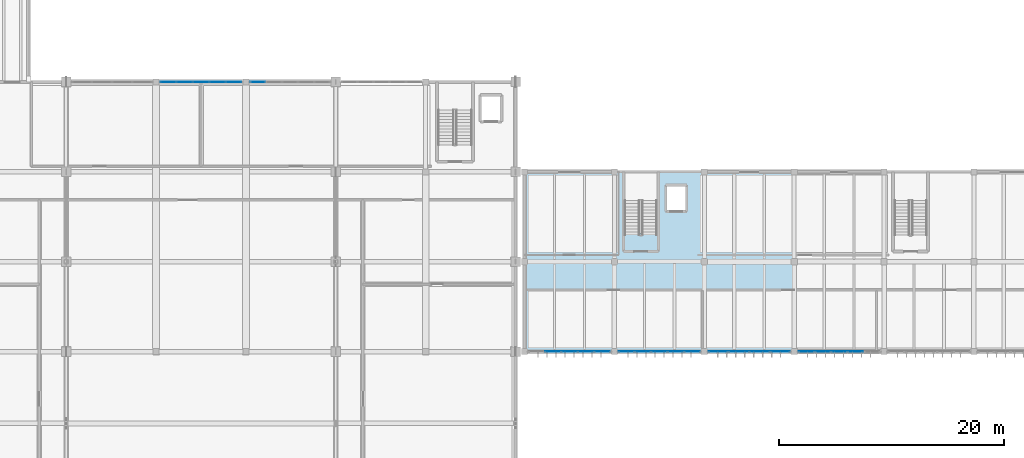
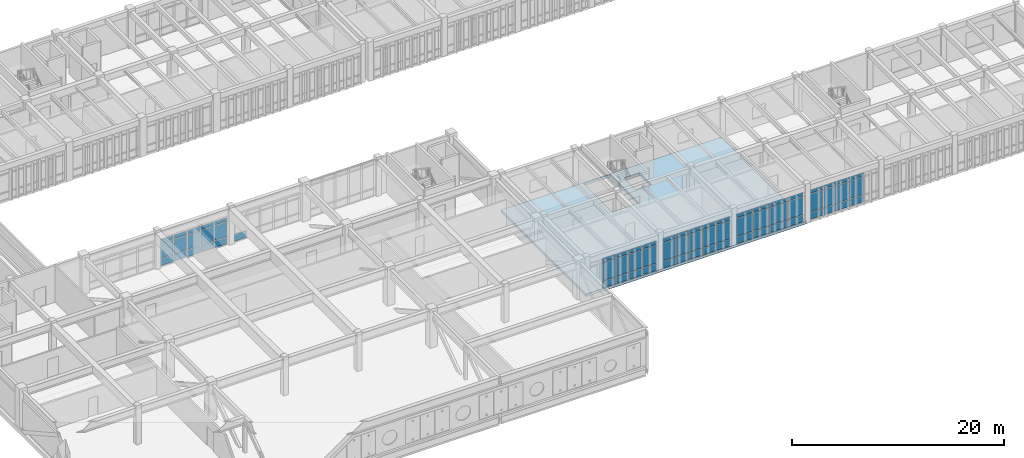
# One storey, part 38 of 79: 67 plates, 1 slab, 6 elements without a shape of their own.
"""IFC4 building model written with IfcOpenShell, lengths in metres."""

from ifc_helpers import new_model, si_unit, direction, frame, origin, origin_2d, place, context, subcontext, project, spatial, polyline, rectangle, outline, extrude, material, layer, layer_set, type_object, element, aggregate, save


model = new_model("IFC4")

# Units and contexts
model_context = context("Model", 3, precision=1e-05, world=origin(), true_north=direction((0.0, 1.0)))
body_context = subcontext(model_context, "Body", "Model", "MODEL_VIEW")
ifc_project = project(units=[si_unit("LENGTHUNIT", "METRE"), si_unit("AREAUNIT", "SQUARE_METRE"), si_unit("VOLUMEUNIT", "CUBIC_METRE"), si_unit("PLANEANGLEUNIT", "RADIAN"), si_unit("MASSUNIT", "GRAM", prefix="KILO")], contexts=[model_context])

# Site, building, storey
site_placement = place(None, origin())
site = spatial("IfcSite", under=ifc_project, at=site_placement, CompositionType="ELEMENT")
building_placement = place(site_placement, origin())
building = spatial("IfcBuilding", under=site, at=building_placement, Name="Tlaxcora Railside Police Headquarters", CompositionType="ELEMENT")
storey_placement = place(building_placement, frame((0.0, 0.0, 9.0)))
storey = spatial("IfcBuildingStorey", under=building, at=storey_placement, Name="L02", CompositionType="ELEMENT", Elevation=9.0)

# Curtain wall, plates
ifc_material_1 = material(Name="Thermally broken low-E insulated glazing", Category="glass")
curtain_wall_type_1 = type_object("IfcCurtainWallType", Name="Unitised Curtain Wall Assembly CW-23", PredefinedType="NOTDEFINED", material=ifc_material_1)
curtain_wall_1_placement = place(storey_placement, origin())
curtain_wall_1 = element("IfcCurtainWall", 1, at=curtain_wall_1_placement, inside=storey, type_object=curtain_wall_type_1, Name="V7 L02 curtain wall 180", PredefinedType="NOTDEFINED")
ifc_layer_1 = layer(ifc_material_1, 0.0400390625, Name="Thermally broken low-E insulated glazing")
ifc_layer_set_1 = layer_set([ifc_layer_1], Name="Thermally broken low-E insulated glazing")
plate_type_1 = type_object("IfcPlateType", Name="Curtain Wall Infill Panel CW-17", PredefinedType="CURTAIN_PANEL", material=ifc_layer_set_1)
plate_1_placement = place(storey_placement, frame((127.8798828125, 36.0, 0.080078125), z_axis=(0.0, 0.0, 1.0), x_axis=(1.0, 0.0, 0.0)))
plate_1 = element("IfcPlate", 2, at=plate_1_placement, type_object=plate_type_1, Name="CW panel 1.1", PredefinedType="CURTAIN_PANEL", context=body_context, shape_type="SweptSolid", body=[
    extrude(rectangle(XDim=1.35009765625, YDim=0.0400390625, at=origin_2d()), origin(), (0.0, 0.0, 1.0), 0.780029296875),
])
plate_2_placement = place(storey_placement, frame((127.8798828125, 36.0, 0.93994140625), z_axis=(0.0, 0.0, 1.0), x_axis=(1.0, 0.0, 0.0)))
plate_2 = element("IfcPlate", 3, at=plate_2_placement, type_object=plate_type_1, Name="CW panel 1.2", PredefinedType="CURTAIN_PANEL", context=body_context, shape_type="SweptSolid", body=[
    extrude(rectangle(XDim=1.35009765625, YDim=0.0400390625, at=origin_2d()), origin(), (0.0, 0.0, 1.0), 2.0400390625),
])
plate_3_placement = place(storey_placement, frame((127.8798828125, 36.0, 3.06005859375), z_axis=(0.0, 0.0, 1.0), x_axis=(1.0, 0.0, 0.0)))
plate_3 = element("IfcPlate", 4, at=plate_3_placement, type_object=plate_type_1, Name="CW panel 1.3", PredefinedType="CURTAIN_PANEL", context=body_context, shape_type="SweptSolid", body=[
    extrude(rectangle(XDim=1.35009765625, YDim=0.0400390625, at=origin_2d()), origin(), (0.0, 0.0, 1.0), 0.409912109375),
])
plate_4_placement = place(storey_placement, frame((129.330078125, 36.0, 0.080078125), z_axis=(0.0, 0.0, 1.0), x_axis=(1.0, 0.0, 0.0)))
plate_4 = element("IfcPlate", 5, at=plate_4_placement, type_object=plate_type_1, Name="CW panel 2.1", PredefinedType="CURTAIN_PANEL", context=body_context, shape_type="SweptSolid", body=[
    extrude(rectangle(XDim=1.389892578125, YDim=0.0400390625, at=origin_2d()), origin(), (0.0, 0.0, 1.0), 0.780029296875),
])
plate_5_placement = place(storey_placement, frame((129.330078125, 36.0, 0.93994140625), z_axis=(0.0, 0.0, 1.0), x_axis=(1.0, 0.0, 0.0)))
plate_5 = element("IfcPlate", 6, at=plate_5_placement, type_object=plate_type_1, Name="CW panel 2.2", PredefinedType="CURTAIN_PANEL", context=body_context, shape_type="SweptSolid", body=[
    extrude(rectangle(XDim=1.389892578125, YDim=0.0400390625, at=origin_2d()), origin(), (0.0, 0.0, 1.0), 2.0400390625),
])
plate_6_placement = place(storey_placement, frame((129.330078125, 36.0, 3.06005859375), z_axis=(0.0, 0.0, 1.0), x_axis=(1.0, 0.0, 0.0)))
plate_6 = element("IfcPlate", 7, at=plate_6_placement, type_object=plate_type_1, Name="CW panel 2.3", PredefinedType="CURTAIN_PANEL", context=body_context, shape_type="SweptSolid", body=[
    extrude(rectangle(XDim=1.389892578125, YDim=0.0400390625, at=origin_2d()), origin(), (0.0, 0.0, 1.0), 0.409912109375),
])
plate_7_placement = place(storey_placement, frame((130.800048828125, 36.0, 0.080078125), z_axis=(0.0, 0.0, 1.0), x_axis=(1.0, 0.0, 0.0)))
plate_7 = element("IfcPlate", 8, at=plate_7_placement, type_object=plate_type_1, Name="CW panel 3.1", PredefinedType="CURTAIN_PANEL", context=body_context, shape_type="SweptSolid", body=[
    extrude(rectangle(XDim=1.389892578125, YDim=0.0400390625, at=origin_2d()), origin(), (0.0, 0.0, 1.0), 0.780029296875),
])
plate_8_placement = place(storey_placement, frame((130.800048828125, 36.0, 0.93994140625), z_axis=(0.0, 0.0, 1.0), x_axis=(1.0, 0.0, 0.0)))
plate_8 = element("IfcPlate", 9, at=plate_8_placement, type_object=plate_type_1, Name="CW panel 3.2", PredefinedType="CURTAIN_PANEL", context=body_context, shape_type="SweptSolid", body=[
    extrude(rectangle(XDim=1.389892578125, YDim=0.0400390625, at=origin_2d()), origin(), (0.0, 0.0, 1.0), 2.0400390625),
])
plate_9_placement = place(storey_placement, frame((130.800048828125, 36.0, 3.06005859375), z_axis=(0.0, 0.0, 1.0), x_axis=(1.0, 0.0, 0.0)))
plate_9 = element("IfcPlate", 10, at=plate_9_placement, type_object=plate_type_1, Name="CW panel 3.3", PredefinedType="CURTAIN_PANEL", context=body_context, shape_type="SweptSolid", body=[
    extrude(rectangle(XDim=1.389892578125, YDim=0.0400390625, at=origin_2d()), origin(), (0.0, 0.0, 1.0), 0.409912109375),
])
plate_10_placement = place(storey_placement, frame((132.27001953125, 36.0, 0.080078125), z_axis=(0.0, 0.0, 1.0), x_axis=(1.0, 0.0, 0.0)))
plate_10 = element("IfcPlate", 11, at=plate_10_placement, type_object=plate_type_1, Name="CW panel 4.1", PredefinedType="CURTAIN_PANEL", context=body_context, shape_type="SweptSolid", body=[
    extrude(rectangle(XDim=1.389892578125, YDim=0.0400390625, at=origin_2d()), origin(), (0.0, 0.0, 1.0), 0.780029296875),
])
plate_11_placement = place(storey_placement, frame((132.27001953125, 36.0, 0.93994140625), z_axis=(0.0, 0.0, 1.0), x_axis=(1.0, 0.0, 0.0)))
plate_11 = element("IfcPlate", 12, at=plate_11_placement, type_object=plate_type_1, Name="CW panel 4.2", PredefinedType="CURTAIN_PANEL", context=body_context, shape_type="SweptSolid", body=[
    extrude(rectangle(XDim=1.389892578125, YDim=0.0400390625, at=origin_2d()), origin(), (0.0, 0.0, 1.0), 2.0400390625),
])
plate_12_placement = place(storey_placement, frame((132.27001953125, 36.0, 3.06005859375), z_axis=(0.0, 0.0, 1.0), x_axis=(1.0, 0.0, 0.0)))
plate_12 = element("IfcPlate", 13, at=plate_12_placement, type_object=plate_type_1, Name="CW panel 4.3", PredefinedType="CURTAIN_PANEL", context=body_context, shape_type="SweptSolid", body=[
    extrude(rectangle(XDim=1.389892578125, YDim=0.0400390625, at=origin_2d()), origin(), (0.0, 0.0, 1.0), 0.409912109375),
])
aggregate(curtain_wall_1, [plate_1, plate_2, plate_3, plate_4, plate_5, plate_6, plate_7, plate_8, plate_9, plate_10, plate_11, plate_12])

curtain_wall_type_2 = type_object("IfcCurtainWallType", Name="Unitised Curtain Wall Assembly CW-15", PredefinedType="NOTDEFINED", material=ifc_material_1)
curtain_wall_2_placement = place(storey_placement, origin())
curtain_wall_2 = element("IfcCurtainWall", 14, at=curtain_wall_2_placement, inside=storey, type_object=curtain_wall_type_2, Name="V2 L02 curtain wall 14", PredefinedType="NOTDEFINED")
ifc_layer_2 = layer(ifc_material_1, 0.031982421875, Name="Thermally broken low-E insulated glazing")
ifc_layer_set_2 = layer_set([ifc_layer_2], Name="Thermally broken low-E insulated glazing")
plate_type_2 = type_object("IfcPlateType", Name="Curtain Wall Infill Panel CW-41", PredefinedType="CURTAIN_PANEL", material=ifc_layer_set_2)
plate_13_placement = place(storey_placement, frame((76.921142578125, 60.0, 0.074951171875), z_axis=(0.0, 0.0, 1.0), x_axis=(-1.0, 0.0, 0.0)))
plate_13 = element("IfcPlate", 15, at=plate_13_placement, type_object=plate_type_2, Name="CW panel 1.1", PredefinedType="CURTAIN_PANEL", context=body_context, shape_type="SweptSolid", body=[
    extrude(rectangle(XDim=1.357421875, YDim=0.031982421875, at=origin_2d()), origin(), (0.0, 0.0, 1.0), 0.78759765625),
])
plate_14_placement = place(storey_placement, frame((76.921142578125, 60.0, 0.9375), z_axis=(0.0, 0.0, 1.0), x_axis=(-1.0, 0.0, 0.0)))
plate_14 = element("IfcPlate", 16, at=plate_14_placement, type_object=plate_type_2, Name="CW panel 1.2", PredefinedType="CURTAIN_PANEL", context=body_context, shape_type="SweptSolid", body=[
    extrude(rectangle(XDim=1.357421875, YDim=0.031982421875, at=origin_2d()), origin(), (0.0, 0.0, 1.0), 1.675048828125),
])
plate_15_placement = place(storey_placement, frame((76.921142578125, 60.0, 2.6875), z_axis=(0.0, 0.0, 1.0), x_axis=(-1.0, 0.0, 0.0)))
plate_15 = element("IfcPlate", 17, at=plate_15_placement, type_object=plate_type_2, Name="CW panel 1.3", PredefinedType="CURTAIN_PANEL", context=body_context, shape_type="SweptSolid", body=[
    extrude(rectangle(XDim=1.357421875, YDim=0.031982421875, at=origin_2d()), origin(), (0.0, 0.0, 1.0), 0.41748046875),
])
plate_16_placement = place(storey_placement, frame((75.469970703125, 60.0, 0.074951171875), z_axis=(0.0, 0.0, 1.0), x_axis=(-1.0, 0.0, 0.0)))
plate_16 = element("IfcPlate", 18, at=plate_16_placement, type_object=plate_type_2, Name="CW panel 2.1", PredefinedType="CURTAIN_PANEL", context=body_context, shape_type="SweptSolid", body=[
    extrude(rectangle(XDim=1.39501953125, YDim=0.031982421875, at=origin_2d()), origin(), (0.0, 0.0, 1.0), 0.78759765625),
])
plate_17_placement = place(storey_placement, frame((75.469970703125, 60.0, 0.9375), z_axis=(0.0, 0.0, 1.0), x_axis=(-1.0, 0.0, 0.0)))
plate_17 = element("IfcPlate", 19, at=plate_17_placement, type_object=plate_type_2, Name="CW panel 2.2", PredefinedType="CURTAIN_PANEL", context=body_context, shape_type="SweptSolid", body=[
    extrude(rectangle(XDim=1.39501953125, YDim=0.031982421875, at=origin_2d()), origin(), (0.0, 0.0, 1.0), 1.675048828125),
])
plate_18_placement = place(storey_placement, frame((75.469970703125, 60.0, 2.6875), z_axis=(0.0, 0.0, 1.0), x_axis=(-1.0, 0.0, 0.0)))
plate_18 = element("IfcPlate", 20, at=plate_18_placement, type_object=plate_type_2, Name="CW panel 2.3", PredefinedType="CURTAIN_PANEL", context=body_context, shape_type="SweptSolid", body=[
    extrude(rectangle(XDim=1.39501953125, YDim=0.031982421875, at=origin_2d()), origin(), (0.0, 0.0, 1.0), 0.41748046875),
])
plate_19_placement = place(storey_placement, frame((74.0, 60.0, 0.074951171875), z_axis=(0.0, 0.0, 1.0), x_axis=(-1.0, 0.0, 0.0)))
plate_19 = element("IfcPlate", 21, at=plate_19_placement, type_object=plate_type_2, Name="CW panel 3.1", PredefinedType="CURTAIN_PANEL", context=body_context, shape_type="SweptSolid", body=[
    extrude(rectangle(XDim=1.39501953125, YDim=0.031982421875, at=origin_2d()), origin(), (0.0, 0.0, 1.0), 0.78759765625),
])
plate_20_placement = place(storey_placement, frame((74.0, 60.0, 0.9375), z_axis=(0.0, 0.0, 1.0), x_axis=(-1.0, 0.0, 0.0)))
plate_20 = element("IfcPlate", 22, at=plate_20_placement, type_object=plate_type_2, Name="CW panel 3.2", PredefinedType="CURTAIN_PANEL", context=body_context, shape_type="SweptSolid", body=[
    extrude(rectangle(XDim=1.39501953125, YDim=0.031982421875, at=origin_2d()), origin(), (0.0, 0.0, 1.0), 1.675048828125),
])
plate_21_placement = place(storey_placement, frame((74.0, 60.0, 2.6875), z_axis=(0.0, 0.0, 1.0), x_axis=(-1.0, 0.0, 0.0)))
plate_21 = element("IfcPlate", 23, at=plate_21_placement, type_object=plate_type_2, Name="CW panel 3.3", PredefinedType="CURTAIN_PANEL", context=body_context, shape_type="SweptSolid", body=[
    extrude(rectangle(XDim=1.39501953125, YDim=0.031982421875, at=origin_2d()), origin(), (0.0, 0.0, 1.0), 0.41748046875),
])
plate_22_placement = place(storey_placement, frame((72.530029296875, 60.0, 0.074951171875), z_axis=(0.0, 0.0, 1.0), x_axis=(-1.0, 0.0, 0.0)))
plate_22 = element("IfcPlate", 24, at=plate_22_placement, type_object=plate_type_2, Name="CW panel 4.1", PredefinedType="CURTAIN_PANEL", context=body_context, shape_type="SweptSolid", body=[
    extrude(rectangle(XDim=1.39501953125, YDim=0.031982421875, at=origin_2d()), origin(), (0.0, 0.0, 1.0), 0.78759765625),
])
plate_23_placement = place(storey_placement, frame((72.530029296875, 60.0, 0.9375), z_axis=(0.0, 0.0, 1.0), x_axis=(-1.0, 0.0, 0.0)))
plate_23 = element("IfcPlate", 25, at=plate_23_placement, type_object=plate_type_2, Name="CW panel 4.2", PredefinedType="CURTAIN_PANEL", context=body_context, shape_type="SweptSolid", body=[
    extrude(rectangle(XDim=1.39501953125, YDim=0.031982421875, at=origin_2d()), origin(), (0.0, 0.0, 1.0), 1.675048828125),
])
plate_24_placement = place(storey_placement, frame((72.530029296875, 60.0, 2.6875), z_axis=(0.0, 0.0, 1.0), x_axis=(-1.0, 0.0, 0.0)))
plate_24 = element("IfcPlate", 26, at=plate_24_placement, type_object=plate_type_2, Name="CW panel 4.3", PredefinedType="CURTAIN_PANEL", context=body_context, shape_type="SweptSolid", body=[
    extrude(rectangle(XDim=1.39501953125, YDim=0.031982421875, at=origin_2d()), origin(), (0.0, 0.0, 1.0), 0.41748046875),
])
plate_25_placement = place(storey_placement, frame((71.078857421875, 60.0, 0.074951171875), z_axis=(0.0, 0.0, 1.0), x_axis=(-1.0, 0.0, 0.0)))
plate_25 = element("IfcPlate", 27, at=plate_25_placement, type_object=plate_type_2, Name="CW panel 5.1", PredefinedType="CURTAIN_PANEL", context=body_context, shape_type="SweptSolid", body=[
    extrude(rectangle(XDim=1.357421875, YDim=0.031982421875, at=origin_2d()), origin(), (0.0, 0.0, 1.0), 0.78759765625),
])
plate_26_placement = place(storey_placement, frame((71.078857421875, 60.0, 0.9375), z_axis=(0.0, 0.0, 1.0), x_axis=(-1.0, 0.0, 0.0)))
plate_26 = element("IfcPlate", 28, at=plate_26_placement, type_object=plate_type_2, Name="CW panel 5.2", PredefinedType="CURTAIN_PANEL", context=body_context, shape_type="SweptSolid", body=[
    extrude(rectangle(XDim=1.357421875, YDim=0.031982421875, at=origin_2d()), origin(), (0.0, 0.0, 1.0), 1.675048828125),
])
plate_27_placement = place(storey_placement, frame((71.078857421875, 60.0, 2.6875), z_axis=(0.0, 0.0, 1.0), x_axis=(-1.0, 0.0, 0.0)))
plate_27 = element("IfcPlate", 29, at=plate_27_placement, type_object=plate_type_2, Name="CW panel 5.3", PredefinedType="CURTAIN_PANEL", context=body_context, shape_type="SweptSolid", body=[
    extrude(rectangle(XDim=1.357421875, YDim=0.031982421875, at=origin_2d()), origin(), (0.0, 0.0, 1.0), 0.41748046875),
])
aggregate(curtain_wall_2, [plate_13, plate_14, plate_15, plate_16, plate_17, plate_18, plate_19, plate_20, plate_21, plate_22, plate_23, plate_24, plate_25, plate_26, plate_27])

curtain_wall_3_placement = place(storey_placement, origin())
curtain_wall_3 = element("IfcCurtainWall", 30, at=curtain_wall_3_placement, inside=storey, type_object=curtain_wall_type_2, Name="V7 L02 curtain wall 178", PredefinedType="NOTDEFINED")
plate_28_placement = place(storey_placement, frame((111.878662109375, 36.0, 0.074951171875), z_axis=(0.0, 0.0, 1.0), x_axis=(1.0, 0.0, 0.0)))
plate_28 = element("IfcPlate", 31, at=plate_28_placement, type_object=plate_type_2, Name="CW panel 1.1", PredefinedType="CURTAIN_PANEL", context=body_context, shape_type="SweptSolid", body=[
    extrude(rectangle(XDim=1.357421875, YDim=0.031982421875, at=origin_2d()), origin(), (0.0, 0.0, 1.0), 0.78759765625),
])
plate_29_placement = place(storey_placement, frame((111.878662109375, 36.0, 0.9375), z_axis=(0.0, 0.0, 1.0), x_axis=(1.0, 0.0, 0.0)))
plate_29 = element("IfcPlate", 32, at=plate_29_placement, type_object=plate_type_2, Name="CW panel 1.2", PredefinedType="CURTAIN_PANEL", context=body_context, shape_type="SweptSolid", body=[
    extrude(rectangle(XDim=1.357421875, YDim=0.031982421875, at=origin_2d()), origin(), (0.0, 0.0, 1.0), 2.044921875),
])
plate_30_placement = place(storey_placement, frame((111.878662109375, 36.0, 3.0576171875), z_axis=(0.0, 0.0, 1.0), x_axis=(1.0, 0.0, 0.0)))
plate_30 = element("IfcPlate", 33, at=plate_30_placement, type_object=plate_type_2, Name="CW panel 1.3", PredefinedType="CURTAIN_PANEL", context=body_context, shape_type="SweptSolid", body=[
    extrude(rectangle(XDim=1.357421875, YDim=0.031982421875, at=origin_2d()), origin(), (0.0, 0.0, 1.0), 0.41748046875),
])
plate_31_placement = place(storey_placement, frame((113.330078125, 36.0, 0.074951171875), z_axis=(0.0, 0.0, 1.0), x_axis=(1.0, 0.0, 0.0)))
plate_31 = element("IfcPlate", 34, at=plate_31_placement, type_object=plate_type_2, Name="CW panel 2.1", PredefinedType="CURTAIN_PANEL", context=body_context, shape_type="SweptSolid", body=[
    extrude(rectangle(XDim=1.39501953125, YDim=0.031982421875, at=origin_2d()), origin(), (0.0, 0.0, 1.0), 0.78759765625),
])
plate_32_placement = place(storey_placement, frame((113.330078125, 36.0, 0.9375), z_axis=(0.0, 0.0, 1.0), x_axis=(1.0, 0.0, 0.0)))
plate_32 = element("IfcPlate", 35, at=plate_32_placement, type_object=plate_type_2, Name="CW panel 2.2", PredefinedType="CURTAIN_PANEL", context=body_context, shape_type="SweptSolid", body=[
    extrude(rectangle(XDim=1.39501953125, YDim=0.031982421875, at=origin_2d()), origin(), (0.0, 0.0, 1.0), 2.044921875),
])
plate_33_placement = place(storey_placement, frame((113.330078125, 36.0, 3.0576171875), z_axis=(0.0, 0.0, 1.0), x_axis=(1.0, 0.0, 0.0)))
plate_33 = element("IfcPlate", 36, at=plate_33_placement, type_object=plate_type_2, Name="CW panel 2.3", PredefinedType="CURTAIN_PANEL", context=body_context, shape_type="SweptSolid", body=[
    extrude(rectangle(XDim=1.39501953125, YDim=0.031982421875, at=origin_2d()), origin(), (0.0, 0.0, 1.0), 0.41748046875),
])
plate_34_placement = place(storey_placement, frame((114.800048828125, 36.0, 0.074951171875), z_axis=(0.0, 0.0, 1.0), x_axis=(1.0, 0.0, 0.0)))
plate_34 = element("IfcPlate", 37, at=plate_34_placement, type_object=plate_type_2, Name="CW panel 3.1", PredefinedType="CURTAIN_PANEL", context=body_context, shape_type="SweptSolid", body=[
    extrude(rectangle(XDim=1.39501953125, YDim=0.031982421875, at=origin_2d()), origin(), (0.0, 0.0, 1.0), 0.78759765625),
])
plate_35_placement = place(storey_placement, frame((114.800048828125, 36.0, 0.9375), z_axis=(0.0, 0.0, 1.0), x_axis=(1.0, 0.0, 0.0)))
plate_35 = element("IfcPlate", 38, at=plate_35_placement, type_object=plate_type_2, Name="CW panel 3.2", PredefinedType="CURTAIN_PANEL", context=body_context, shape_type="SweptSolid", body=[
    extrude(rectangle(XDim=1.39501953125, YDim=0.031982421875, at=origin_2d()), origin(), (0.0, 0.0, 1.0), 2.044921875),
])
plate_36_placement = place(storey_placement, frame((114.800048828125, 36.0, 3.0576171875), z_axis=(0.0, 0.0, 1.0), x_axis=(1.0, 0.0, 0.0)))
plate_36 = element("IfcPlate", 39, at=plate_36_placement, type_object=plate_type_2, Name="CW panel 3.3", PredefinedType="CURTAIN_PANEL", context=body_context, shape_type="SweptSolid", body=[
    extrude(rectangle(XDim=1.39501953125, YDim=0.031982421875, at=origin_2d()), origin(), (0.0, 0.0, 1.0), 0.41748046875),
])
plate_37_placement = place(storey_placement, frame((116.27001953125, 36.0, 0.074951171875), z_axis=(0.0, 0.0, 1.0), x_axis=(1.0, 0.0, 0.0)))
plate_37 = element("IfcPlate", 40, at=plate_37_placement, type_object=plate_type_2, Name="CW panel 4.1", PredefinedType="CURTAIN_PANEL", context=body_context, shape_type="SweptSolid", body=[
    extrude(rectangle(XDim=1.39501953125, YDim=0.031982421875, at=origin_2d()), origin(), (0.0, 0.0, 1.0), 0.78759765625),
])
plate_38_placement = place(storey_placement, frame((116.27001953125, 36.0, 0.9375), z_axis=(0.0, 0.0, 1.0), x_axis=(1.0, 0.0, 0.0)))
plate_38 = element("IfcPlate", 41, at=plate_38_placement, type_object=plate_type_2, Name="CW panel 4.2", PredefinedType="CURTAIN_PANEL", context=body_context, shape_type="SweptSolid", body=[
    extrude(rectangle(XDim=1.39501953125, YDim=0.031982421875, at=origin_2d()), origin(), (0.0, 0.0, 1.0), 2.044921875),
])
plate_39_placement = place(storey_placement, frame((116.27001953125, 36.0, 3.0576171875), z_axis=(0.0, 0.0, 1.0), x_axis=(1.0, 0.0, 0.0)))
plate_39 = element("IfcPlate", 42, at=plate_39_placement, type_object=plate_type_2, Name="CW panel 4.3", PredefinedType="CURTAIN_PANEL", context=body_context, shape_type="SweptSolid", body=[
    extrude(rectangle(XDim=1.39501953125, YDim=0.031982421875, at=origin_2d()), origin(), (0.0, 0.0, 1.0), 0.41748046875),
])
plate_40_placement = place(storey_placement, frame((117.72119140625, 36.0, 0.074951171875), z_axis=(0.0, 0.0, 1.0), x_axis=(1.0, 0.0, 0.0)))
plate_40 = element("IfcPlate", 43, at=plate_40_placement, type_object=plate_type_2, Name="CW panel 5.1", PredefinedType="CURTAIN_PANEL", context=body_context, shape_type="SweptSolid", body=[
    extrude(rectangle(XDim=1.357421875, YDim=0.031982421875, at=origin_2d()), origin(), (0.0, 0.0, 1.0), 0.78759765625),
])
plate_41_placement = place(storey_placement, frame((117.72119140625, 36.0, 0.9375), z_axis=(0.0, 0.0, 1.0), x_axis=(1.0, 0.0, 0.0)))
plate_41 = element("IfcPlate", 44, at=plate_41_placement, type_object=plate_type_2, Name="CW panel 5.2", PredefinedType="CURTAIN_PANEL", context=body_context, shape_type="SweptSolid", body=[
    extrude(rectangle(XDim=1.357421875, YDim=0.031982421875, at=origin_2d()), origin(), (0.0, 0.0, 1.0), 2.044921875),
])
plate_42_placement = place(storey_placement, frame((117.72119140625, 36.0, 3.0576171875), z_axis=(0.0, 0.0, 1.0), x_axis=(1.0, 0.0, 0.0)))
plate_42 = element("IfcPlate", 45, at=plate_42_placement, type_object=plate_type_2, Name="CW panel 5.3", PredefinedType="CURTAIN_PANEL", context=body_context, shape_type="SweptSolid", body=[
    extrude(rectangle(XDim=1.357421875, YDim=0.031982421875, at=origin_2d()), origin(), (0.0, 0.0, 1.0), 0.41748046875),
])
aggregate(curtain_wall_3, [plate_28, plate_29, plate_30, plate_31, plate_32, plate_33, plate_34, plate_35, plate_36, plate_37, plate_38, plate_39, plate_40, plate_41, plate_42])

curtain_wall_type_3 = type_object("IfcCurtainWallType", Name="Unitised Curtain Wall Assembly CW-83", PredefinedType="NOTDEFINED", material=ifc_material_1)
curtain_wall_4_placement = place(storey_placement, origin())
curtain_wall_4 = element("IfcCurtainWall", 46, at=curtain_wall_4_placement, inside=storey, type_object=curtain_wall_type_3, Name="V7 L02 curtain wall 179", PredefinedType="NOTDEFINED")
ifc_layer_3 = layer(ifc_material_1, 0.035888671875, Name="Thermally broken low-E insulated glazing")
ifc_layer_set_3 = layer_set([ifc_layer_3], Name="Thermally broken low-E insulated glazing")
plate_type_3 = type_object("IfcPlateType", Name="Curtain Wall Infill Panel CW-72", PredefinedType="CURTAIN_PANEL", material=ifc_layer_set_3)
plate_43_placement = place(storey_placement, frame((120.063720703125, 36.0, 0.080078125), z_axis=(0.0, 0.0, 1.0), x_axis=(1.0, 0.0, 0.0)))
plate_43 = element("IfcPlate", 47, at=plate_43_placement, type_object=plate_type_3, Name="CW panel 1.1", PredefinedType="CURTAIN_PANEL", context=body_context, shape_type="SweptSolid", body=[
    extrude(rectangle(XDim=1.717529296875, YDim=0.035888671875, at=origin_2d()), origin(), (0.0, 0.0, 1.0), 0.780029296875),
])
plate_44_placement = place(storey_placement, frame((120.063720703125, 36.0, 0.93994140625), z_axis=(0.0, 0.0, 1.0), x_axis=(1.0, 0.0, 0.0)))
plate_44 = element("IfcPlate", 48, at=plate_44_placement, type_object=plate_type_3, Name="CW panel 1.2", PredefinedType="CURTAIN_PANEL", context=body_context, shape_type="SweptSolid", body=[
    extrude(rectangle(XDim=1.717529296875, YDim=0.035888671875, at=origin_2d()), origin(), (0.0, 0.0, 1.0), 2.0400390625),
])
plate_45_placement = place(storey_placement, frame((120.063720703125, 36.0, 3.06005859375), z_axis=(0.0, 0.0, 1.0), x_axis=(1.0, 0.0, 0.0)))
plate_45 = element("IfcPlate", 49, at=plate_45_placement, type_object=plate_type_3, Name="CW panel 1.3", PredefinedType="CURTAIN_PANEL", context=body_context, shape_type="SweptSolid", body=[
    extrude(rectangle(XDim=1.717529296875, YDim=0.035888671875, at=origin_2d()), origin(), (0.0, 0.0, 1.0), 0.409912109375),
])
plate_46_placement = place(storey_placement, frame((121.88134765625, 36.0, 0.080078125), z_axis=(0.0, 0.0, 1.0), x_axis=(1.0, 0.0, 0.0)))
plate_46 = element("IfcPlate", 50, at=plate_46_placement, type_object=plate_type_3, Name="CW panel 2.1", PredefinedType="CURTAIN_PANEL", context=body_context, shape_type="SweptSolid", body=[
    extrude(rectangle(XDim=1.757568359375, YDim=0.035888671875, at=origin_2d()), origin(), (0.0, 0.0, 1.0), 0.780029296875),
])
plate_47_placement = place(storey_placement, frame((121.88134765625, 36.0, 0.93994140625), z_axis=(0.0, 0.0, 1.0), x_axis=(1.0, 0.0, 0.0)))
plate_47 = element("IfcPlate", 51, at=plate_47_placement, type_object=plate_type_3, Name="CW panel 2.2", PredefinedType="CURTAIN_PANEL", context=body_context, shape_type="SweptSolid", body=[
    extrude(rectangle(XDim=1.757568359375, YDim=0.035888671875, at=origin_2d()), origin(), (0.0, 0.0, 1.0), 2.0400390625),
])
plate_48_placement = place(storey_placement, frame((121.88134765625, 36.0, 3.06005859375), z_axis=(0.0, 0.0, 1.0), x_axis=(1.0, 0.0, 0.0)))
plate_48 = element("IfcPlate", 52, at=plate_48_placement, type_object=plate_type_3, Name="CW panel 2.3", PredefinedType="CURTAIN_PANEL", context=body_context, shape_type="SweptSolid", body=[
    extrude(rectangle(XDim=1.757568359375, YDim=0.035888671875, at=origin_2d()), origin(), (0.0, 0.0, 1.0), 0.409912109375),
])
plate_49_placement = place(storey_placement, frame((123.71875, 36.0, 0.080078125), z_axis=(0.0, 0.0, 1.0), x_axis=(1.0, 0.0, 0.0)))
plate_49 = element("IfcPlate", 53, at=plate_49_placement, type_object=plate_type_3, Name="CW panel 3.1", PredefinedType="CURTAIN_PANEL", context=body_context, shape_type="SweptSolid", body=[
    extrude(rectangle(XDim=1.757568359375, YDim=0.035888671875, at=origin_2d()), origin(), (0.0, 0.0, 1.0), 0.780029296875),
])
plate_50_placement = place(storey_placement, frame((123.71875, 36.0, 0.93994140625), z_axis=(0.0, 0.0, 1.0), x_axis=(1.0, 0.0, 0.0)))
plate_50 = element("IfcPlate", 54, at=plate_50_placement, type_object=plate_type_3, Name="CW panel 3.2", PredefinedType="CURTAIN_PANEL", context=body_context, shape_type="SweptSolid", body=[
    extrude(rectangle(XDim=1.757568359375, YDim=0.035888671875, at=origin_2d()), origin(), (0.0, 0.0, 1.0), 2.0400390625),
])
plate_51_placement = place(storey_placement, frame((123.71875, 36.0, 3.06005859375), z_axis=(0.0, 0.0, 1.0), x_axis=(1.0, 0.0, 0.0)))
plate_51 = element("IfcPlate", 55, at=plate_51_placement, type_object=plate_type_3, Name="CW panel 3.3", PredefinedType="CURTAIN_PANEL", context=body_context, shape_type="SweptSolid", body=[
    extrude(rectangle(XDim=1.757568359375, YDim=0.035888671875, at=origin_2d()), origin(), (0.0, 0.0, 1.0), 0.409912109375),
])
plate_52_placement = place(storey_placement, frame((125.5361328125, 36.0, 0.080078125), z_axis=(0.0, 0.0, 1.0), x_axis=(1.0, 0.0, 0.0)))
plate_52 = element("IfcPlate", 56, at=plate_52_placement, type_object=plate_type_3, Name="CW panel 4.1", PredefinedType="CURTAIN_PANEL", context=body_context, shape_type="SweptSolid", body=[
    extrude(rectangle(XDim=1.717529296875, YDim=0.035888671875, at=origin_2d()), origin(), (0.0, 0.0, 1.0), 0.780029296875),
])
plate_53_placement = place(storey_placement, frame((125.5361328125, 36.0, 0.93994140625), z_axis=(0.0, 0.0, 1.0), x_axis=(1.0, 0.0, 0.0)))
plate_53 = element("IfcPlate", 57, at=plate_53_placement, type_object=plate_type_3, Name="CW panel 4.2", PredefinedType="CURTAIN_PANEL", context=body_context, shape_type="SweptSolid", body=[
    extrude(rectangle(XDim=1.717529296875, YDim=0.035888671875, at=origin_2d()), origin(), (0.0, 0.0, 1.0), 2.0400390625),
])
plate_54_placement = place(storey_placement, frame((125.5361328125, 36.0, 3.06005859375), z_axis=(0.0, 0.0, 1.0), x_axis=(1.0, 0.0, 0.0)))
plate_54 = element("IfcPlate", 58, at=plate_54_placement, type_object=plate_type_3, Name="CW panel 4.3", PredefinedType="CURTAIN_PANEL", context=body_context, shape_type="SweptSolid", body=[
    extrude(rectangle(XDim=1.717529296875, YDim=0.035888671875, at=origin_2d()), origin(), (0.0, 0.0, 1.0), 0.409912109375),
])
aggregate(curtain_wall_4, [plate_43, plate_44, plate_45, plate_46, plate_47, plate_48, plate_49, plate_50, plate_51, plate_52, plate_53, plate_54])

# Curtain wall, plate
curtain_wall_type_4 = type_object("IfcCurtainWallType", Name="Unitised Curtain Wall Assembly CW-38", PredefinedType="NOTDEFINED", material=ifc_material_1)
curtain_wall_5_placement = place(storey_placement, origin())
curtain_wall_5 = element("IfcCurtainWall", 59, at=curtain_wall_5_placement, inside=storey, type_object=curtain_wall_type_4, Name="V2 L02 curtain wall 13", PredefinedType="NOTDEFINED")
ifc_layer_4 = layer(ifc_material_1, 0.028076171875, Name="Thermally broken low-E insulated glazing")
ifc_layer_set_4 = layer_set([ifc_layer_4], Name="Thermally broken low-E insulated glazing")
plate_type_4 = type_object("IfcPlateType", Name="Curtain Wall Infill Panel CW-92", PredefinedType="CURTAIN_PANEL", material=ifc_layer_set_4)
plate_55_placement = place(storey_placement, frame((79.063720703125, 60.0, 0.074951171875), z_axis=(0.0, 0.0, 1.0), x_axis=(-1.0, 0.0, 0.0)))
plate_55 = element("IfcPlate", 60, at=plate_55_placement, type_object=plate_type_4, Name="CW panel 5.1", PredefinedType="CURTAIN_PANEL", context=body_context, shape_type="SweptSolid", body=[
    extrude(rectangle(XDim=1.327392578125, YDim=0.028076171875, at=origin_2d()), origin(), (0.0, 0.0, 1.0), 0.78759765625),
])
aggregate(curtain_wall_5, [plate_55])

# Curtain wall, plates
curtain_wall_6_placement = place(storey_placement, origin())
curtain_wall_6 = element("IfcCurtainWall", 61, at=curtain_wall_6_placement, inside=storey, type_object=curtain_wall_type_4, Name="V7 L02 curtain wall 177", PredefinedType="NOTDEFINED")
plate_56_placement = place(storey_placement, frame((105.330078125, 36.0, 0.074951171875), z_axis=(0.0, 0.0, 1.0), x_axis=(1.0, 0.0, 0.0)))
plate_56 = element("IfcPlate", 62, at=plate_56_placement, type_object=plate_type_4, Name="CW panel 2.1", PredefinedType="CURTAIN_PANEL", context=body_context, shape_type="SweptSolid", body=[
    extrude(rectangle(XDim=1.39501953125, YDim=0.028076171875, at=origin_2d()), origin(), (0.0, 0.0, 1.0), 0.78759765625),
])
plate_57_placement = place(storey_placement, frame((105.330078125, 36.0, 0.9375), z_axis=(0.0, 0.0, 1.0), x_axis=(1.0, 0.0, 0.0)))
plate_57 = element("IfcPlate", 63, at=plate_57_placement, type_object=plate_type_4, Name="CW panel 2.2", PredefinedType="CURTAIN_PANEL", context=body_context, shape_type="SweptSolid", body=[
    extrude(rectangle(XDim=1.39501953125, YDim=0.028076171875, at=origin_2d()), origin(), (0.0, 0.0, 1.0), 2.044921875),
])
plate_58_placement = place(storey_placement, frame((105.330078125, 36.0, 3.0576171875), z_axis=(0.0, 0.0, 1.0), x_axis=(1.0, 0.0, 0.0)))
plate_58 = element("IfcPlate", 64, at=plate_58_placement, type_object=plate_type_4, Name="CW panel 2.3", PredefinedType="CURTAIN_PANEL", context=body_context, shape_type="SweptSolid", body=[
    extrude(rectangle(XDim=1.39501953125, YDim=0.028076171875, at=origin_2d()), origin(), (0.0, 0.0, 1.0), 0.41748046875),
])
plate_59_placement = place(storey_placement, frame((106.800048828125, 36.0, 0.074951171875), z_axis=(0.0, 0.0, 1.0), x_axis=(1.0, 0.0, 0.0)))
plate_59 = element("IfcPlate", 65, at=plate_59_placement, type_object=plate_type_4, Name="CW panel 3.1", PredefinedType="CURTAIN_PANEL", context=body_context, shape_type="SweptSolid", body=[
    extrude(rectangle(XDim=1.39501953125, YDim=0.028076171875, at=origin_2d()), origin(), (0.0, 0.0, 1.0), 0.78759765625),
])
plate_60_placement = place(storey_placement, frame((106.800048828125, 36.0, 0.9375), z_axis=(0.0, 0.0, 1.0), x_axis=(1.0, 0.0, 0.0)))
plate_60 = element("IfcPlate", 66, at=plate_60_placement, type_object=plate_type_4, Name="CW panel 3.2", PredefinedType="CURTAIN_PANEL", context=body_context, shape_type="SweptSolid", body=[
    extrude(rectangle(XDim=1.39501953125, YDim=0.028076171875, at=origin_2d()), origin(), (0.0, 0.0, 1.0), 2.044921875),
])
plate_61_placement = place(storey_placement, frame((106.800048828125, 36.0, 3.0576171875), z_axis=(0.0, 0.0, 1.0), x_axis=(1.0, 0.0, 0.0)))
plate_61 = element("IfcPlate", 67, at=plate_61_placement, type_object=plate_type_4, Name="CW panel 3.3", PredefinedType="CURTAIN_PANEL", context=body_context, shape_type="SweptSolid", body=[
    extrude(rectangle(XDim=1.39501953125, YDim=0.028076171875, at=origin_2d()), origin(), (0.0, 0.0, 1.0), 0.41748046875),
])
plate_62_placement = place(storey_placement, frame((108.27001953125, 36.0, 0.074951171875), z_axis=(0.0, 0.0, 1.0), x_axis=(1.0, 0.0, 0.0)))
plate_62 = element("IfcPlate", 68, at=plate_62_placement, type_object=plate_type_4, Name="CW panel 4.1", PredefinedType="CURTAIN_PANEL", context=body_context, shape_type="SweptSolid", body=[
    extrude(rectangle(XDim=1.39501953125, YDim=0.028076171875, at=origin_2d()), origin(), (0.0, 0.0, 1.0), 0.78759765625),
])
plate_63_placement = place(storey_placement, frame((108.27001953125, 36.0, 0.9375), z_axis=(0.0, 0.0, 1.0), x_axis=(1.0, 0.0, 0.0)))
plate_63 = element("IfcPlate", 69, at=plate_63_placement, type_object=plate_type_4, Name="CW panel 4.2", PredefinedType="CURTAIN_PANEL", context=body_context, shape_type="SweptSolid", body=[
    extrude(rectangle(XDim=1.39501953125, YDim=0.028076171875, at=origin_2d()), origin(), (0.0, 0.0, 1.0), 2.044921875),
])
plate_64_placement = place(storey_placement, frame((108.27001953125, 36.0, 3.0576171875), z_axis=(0.0, 0.0, 1.0), x_axis=(1.0, 0.0, 0.0)))
plate_64 = element("IfcPlate", 70, at=plate_64_placement, type_object=plate_type_4, Name="CW panel 4.3", PredefinedType="CURTAIN_PANEL", context=body_context, shape_type="SweptSolid", body=[
    extrude(rectangle(XDim=1.39501953125, YDim=0.028076171875, at=origin_2d()), origin(), (0.0, 0.0, 1.0), 0.41748046875),
])
plate_65_placement = place(storey_placement, frame((109.72119140625, 36.0, 0.074951171875), z_axis=(0.0, 0.0, 1.0), x_axis=(1.0, 0.0, 0.0)))
plate_65 = element("IfcPlate", 71, at=plate_65_placement, type_object=plate_type_4, Name="CW panel 5.1", PredefinedType="CURTAIN_PANEL", context=body_context, shape_type="SweptSolid", body=[
    extrude(rectangle(XDim=1.357421875, YDim=0.028076171875, at=origin_2d()), origin(), (0.0, 0.0, 1.0), 0.78759765625),
])
plate_66_placement = place(storey_placement, frame((109.72119140625, 36.0, 0.9375), z_axis=(0.0, 0.0, 1.0), x_axis=(1.0, 0.0, 0.0)))
plate_66 = element("IfcPlate", 72, at=plate_66_placement, type_object=plate_type_4, Name="CW panel 5.2", PredefinedType="CURTAIN_PANEL", context=body_context, shape_type="SweptSolid", body=[
    extrude(rectangle(XDim=1.357421875, YDim=0.028076171875, at=origin_2d()), origin(), (0.0, 0.0, 1.0), 2.044921875),
])
plate_67_placement = place(storey_placement, frame((109.72119140625, 36.0, 3.0576171875), z_axis=(0.0, 0.0, 1.0), x_axis=(1.0, 0.0, 0.0)))
plate_67 = element("IfcPlate", 73, at=plate_67_placement, type_object=plate_type_4, Name="CW panel 5.3", PredefinedType="CURTAIN_PANEL", context=body_context, shape_type="SweptSolid", body=[
    extrude(rectangle(XDim=1.357421875, YDim=0.028076171875, at=origin_2d()), origin(), (0.0, 0.0, 1.0), 0.41748046875),
])
aggregate(curtain_wall_6, [plate_56, plate_57, plate_58, plate_59, plate_60, plate_61, plate_62, plate_63, plate_64, plate_65, plate_66, plate_67])

# Slab
ifc_material_2 = material(Name="Concrete C35/45", Category="concrete")
ifc_layer_5 = layer(ifc_material_2, 0.2900390625, Name="Concrete C35/45")
ifc_layer_set_5 = layer_set([ifc_layer_5], Name="Concrete C35/45")
slab_type = type_object("IfcSlabType", Name="Suspended Floor Slab SL-86", PredefinedType="FLOOR", material=ifc_layer_set_5)
slab_placement = place(storey_placement, frame((0.0, 0.0, -0.2900390625)))
element("IfcSlab", 74, at=slab_placement, inside=storey, type_object=slab_type, Name="V7 L02 floor slab zone 1", PredefinedType="FLOOR", context=body_context, shape_type="SweptSolid", body=[
    extrude(outline(polyline([(126.800048828125, 52.0), (102.800048828125, 52.0), (102.800048828125, 36.0), (126.800048828125, 36.0), (126.800048828125, 52.0)]), holes=[polyline([(111.7099609375, 51.889892578125), (114.610107421875, 51.889892578125), (114.610107421875, 46.5), (111.7099609375, 46.5), (111.7099609375, 51.889892578125)]), polyline([(117.14990234375, 50.75), (117.14990234375, 48.550048828125), (115.449951171875, 48.550048828125), (115.449951171875, 50.75), (117.14990234375, 50.75)])]), origin(), (0.0, 0.0, 1.0), 0.2900390625),
])

save(model, "model.ifc")
